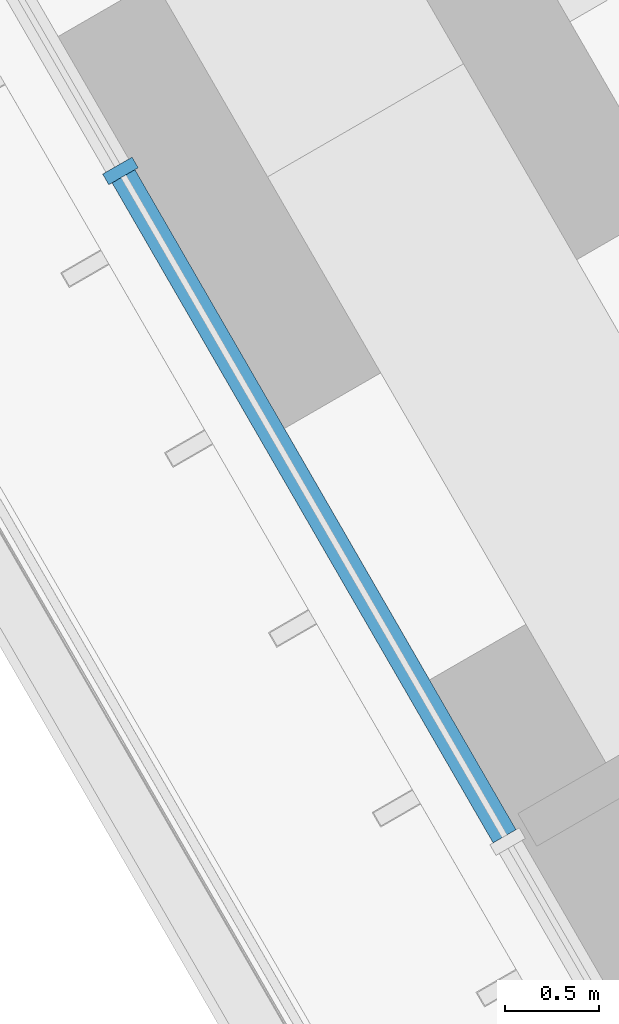
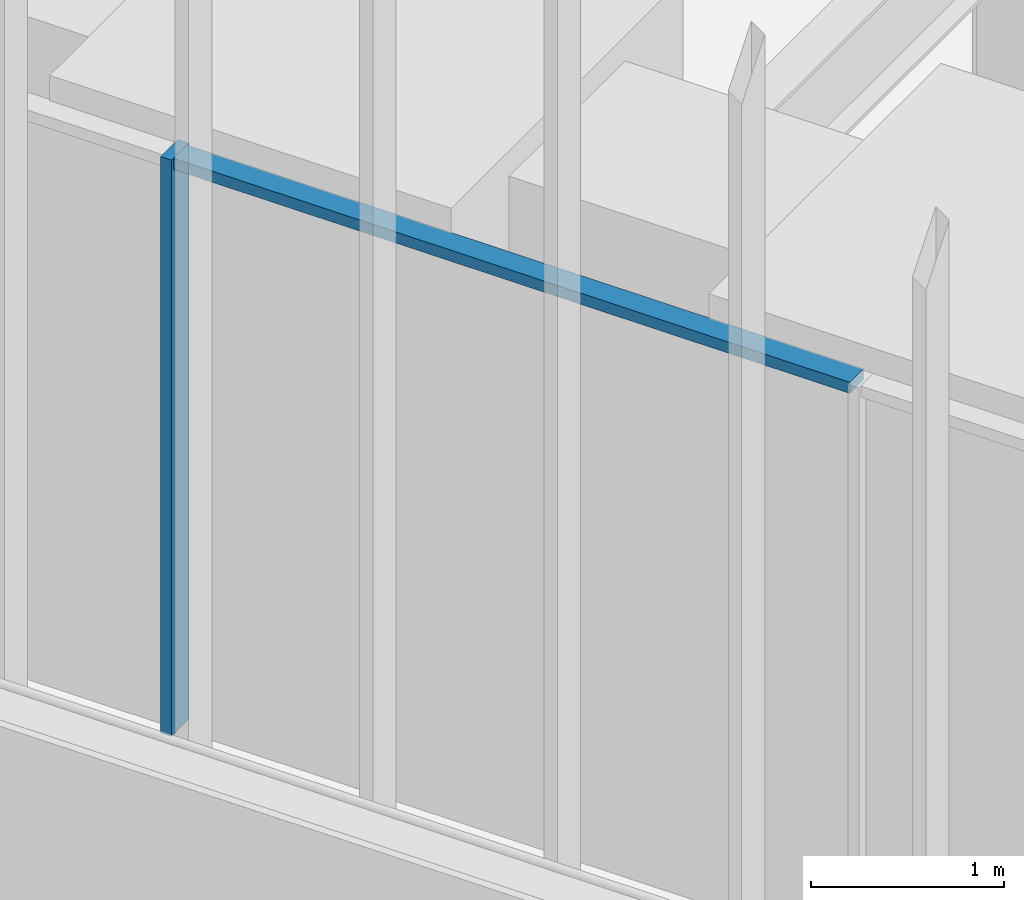
# One storey, part 49 of 238: 2 members, 1 element without a shape of its own.
"""IFC4 building model written with IfcOpenShell, lengths in metres."""

from ifc_helpers import new_model, si_unit, direction, frame, origin, origin_2d, place, context, subcontext, project, spatial, rectangle, extrude, material, material_profile, profile_set, type_object, element, aggregate, save


model = new_model("IFC4")

# Units and contexts
model_context = context("Model", 3, precision=1e-05, world=origin(), true_north=direction((0.0, 1.0)))
body_context = subcontext(model_context, "Body", "Model", "MODEL_VIEW")
ifc_project = project(units=[si_unit("LENGTHUNIT", "METRE"), si_unit("AREAUNIT", "SQUARE_METRE"), si_unit("VOLUMEUNIT", "CUBIC_METRE"), si_unit("PLANEANGLEUNIT", "RADIAN"), si_unit("MASSUNIT", "GRAM", prefix="KILO")], contexts=[model_context])

# Site, building, storey
site_placement = place(None, origin())
site = spatial("IfcSite", under=ifc_project, at=site_placement, CompositionType="ELEMENT")
building_placement = place(site_placement, origin())
building = spatial("IfcBuilding", under=site, at=building_placement, Name="Sandreach Pilgrim Tower", CompositionType="ELEMENT")
storey_placement = place(building_placement, frame((0.0, 0.0, 96.800048828125)))
storey = spatial("IfcBuildingStorey", under=building, at=storey_placement, Name="L23", CompositionType="ELEMENT", Elevation=96.800048828125)

# Curtain wall, members
ifc_material_1 = material(Name="Aluminium framed curtain wall", Category="aluminium")
curtain_wall_type = type_object("IfcCurtainWallType", Name="Hotel tower curtain wall", PredefinedType="NOTDEFINED", material=ifc_material_1)
curtain_wall_placement = place(storey_placement, origin())
curtain_wall = element("IfcCurtainWall", 1, at=curtain_wall_placement, inside=storey, type_object=curtain_wall_type, Name="CW-2 L23 SW", PredefinedType="NOTDEFINED")
ifc_material_2 = material(Name="Aluminium extrusion", Category="aluminium")
ifc_material_profile_1 = material_profile(ifc_material_2, rectangle(XDim=0.06494140625, YDim=0.179931640625, at=origin_2d()), Name="CW-2M 65X180")
ifc_profile_set_1 = profile_set([ifc_material_profile_1], Name="Aluminium extrusion")
member_type_1 = type_object("IfcMemberType", Name="CW-2 mullion", PredefinedType="MULLION", material=ifc_profile_set_1)
member_1_placement = place(storey_placement, frame((-24.614013671875, -2.35498046875, 0.0), z_axis=(0.0, 0.0, 1.0), x_axis=(-0.5, 0.866025403784, 0.0)))
member_1 = element("IfcMember", 2, at=member_1_placement, type_object=member_type_1, Name="CW-2 mullion 8", PredefinedType="MULLION", context=body_context, shape_type="SweptSolid", body=[
    extrude(rectangle(XDim=0.06494140625, YDim=0.179931640625, at=origin_2d()), origin(), (0.0, 0.0, 1.0), 3.639892578125),
])
ifc_material_3 = material(Name="Aluminium extrusion", Category="aluminium")
ifc_material_profile_2 = material_profile(ifc_material_3, rectangle(XDim=0.139892578125, YDim=0.070068359375, at=origin_2d()), Name="CW-2T 140X70")
ifc_profile_set_2 = profile_set([ifc_material_profile_2], Name="Aluminium extrusion")
member_type_2 = type_object("IfcMemberType", Name="CW-2 transom", PredefinedType="USERDEFINED", material=ifc_profile_set_2)
member_2_placement = place(storey_placement, frame((-22.57666015625, -5.883544921875, 3.60498046875), z_axis=(-0.500023973715, 0.866011562111, 0.0), x_axis=(-0.866011562111, -0.500023973715, 0.0)))
member_2 = element("IfcMember", 3, at=member_2_placement, type_object=member_type_2, Name="CW-2 head transom 7", ObjectType="TRANSOM", PredefinedType="USERDEFINED", context=body_context, shape_type="SweptSolid", body=[
    extrude(rectangle(XDim=0.139892578125, YDim=0.070068359375, at=origin_2d()), origin(), (0.0, 0.0, 1.0), 4.041748046875),
])
aggregate(curtain_wall, [member_1, member_2])

save(model, "model.ifc")
